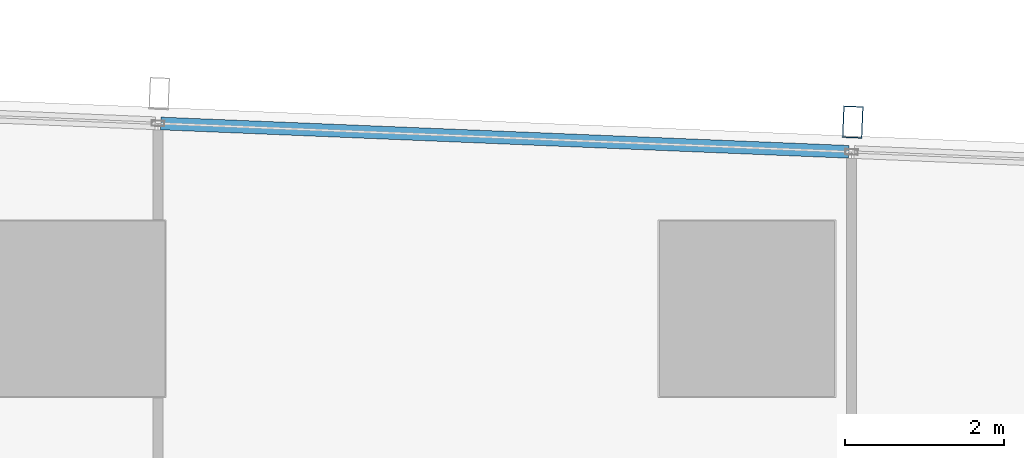
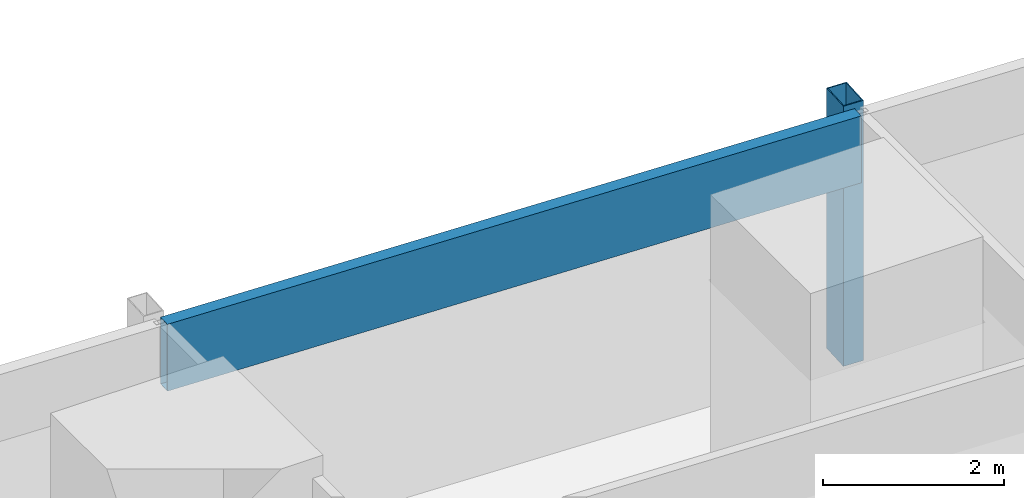
# One storey, part 24 of 44: 2 members, 1 element without a shape of its own.
"""IFC4 building model written with IfcOpenShell, lengths in metres."""

from ifc_helpers import new_model, si_unit, direction, frame, origin, origin_2d, place, context, subcontext, project, spatial, hollow_rectangle, extrude, material, material_profile, profile_set, type_object, element, aggregate, save


model = new_model("IFC4")

# Units and contexts
model_context = context("Model", 3, precision=1e-05, world=origin(), true_north=direction((0.0, 1.0)))
body_context = subcontext(model_context, "Body", "Model", "MODEL_VIEW")
ifc_project = project(units=[si_unit("LENGTHUNIT", "METRE"), si_unit("AREAUNIT", "SQUARE_METRE"), si_unit("VOLUMEUNIT", "CUBIC_METRE"), si_unit("PLANEANGLEUNIT", "RADIAN"), si_unit("MASSUNIT", "GRAM", prefix="KILO")], contexts=[model_context])

# Site, building, storey
site_placement = place(None, origin())
site = spatial("IfcSite", under=ifc_project, at=site_placement, CompositionType="ELEMENT")
building_placement = place(site_placement, origin())
building = spatial("IfcBuilding", under=site, at=building_placement, Name="Rekha Terrace Tower", CompositionType="ELEMENT")
storey_placement = place(building_placement, frame((0.0, 0.0, 59.14990234375)))
storey = spatial("IfcBuildingStorey", under=building, at=storey_placement, Name="L14", CompositionType="ELEMENT", Elevation=59.14990234375)

# Curtain wall, members
ifc_material_1 = material(Name="Aluminium framing", Category="aluminium")
curtain_wall_type = type_object("IfcCurtainWallType", Name="CW3 north unitised glazing", PredefinedType="USERDEFINED", material=ifc_material_1)
curtain_wall_placement = place(storey_placement, origin())
curtain_wall = element("IfcCurtainWall", 1, at=curtain_wall_placement, inside=storey, type_object=curtain_wall_type, Name="CW3 unitised curtain wall", ObjectType="UNITISED CURTAIN WALL", PredefinedType="USERDEFINED")
ifc_material_2 = material(Name="Steel S355 with fluorocarbon finish", Category="steel")
ifc_material_profile_1 = material_profile(ifc_material_2, hollow_rectangle(XDim=0.25, YDim=0.39990234375, WallThickness=0.012451171875, at=origin_2d()), Name="RHS400x250x12.5")
ifc_profile_set_1 = profile_set([ifc_material_profile_1], Name="Steel S355 with fluorocarbon finish")
member_type_1 = type_object("IfcMemberType", Name="BL1 facade blade RHS 400 x 250", PredefinedType="USERDEFINED", material=ifc_profile_set_1)
member_1_placement = place(storey_placement, frame((60.126953125, 61.140869140625, 0.0), z_axis=(0.0, 0.0, 1.0), x_axis=(-0.99915196507, 0.041174636562, 0.0)))
member_1 = element("IfcMember", 2, at=member_1_placement, type_object=member_type_1, Name="Facade blade", ObjectType="FACADE BLADE", PredefinedType="USERDEFINED", context=body_context, shape_type="SweptSolid", body=[
    extrude(hollow_rectangle(XDim=0.25, YDim=0.39990234375, WallThickness=0.012451171875, at=origin_2d()), origin(), (0.0, 0.0, 1.0), 3.5),
])
ifc_material_3 = material(Name="Insulated aluminium spandrel box", Category="aluminium")
ifc_material_profile_2 = material_profile(ifc_material_3, hollow_rectangle(XDim=0.159912109375, YDim=0.89990234375, WallThickness=0.0029296875, at=origin_2d()), Name="AL SPANDREL BOX 160x900")
ifc_profile_set_2 = profile_set([ifc_material_profile_2], Name="Insulated aluminium spandrel box")
member_type_2 = type_object("IfcMemberType", Name="CW3 spandrel transom 160 x 900", PredefinedType="USERDEFINED", material=ifc_profile_set_2)
member_2_placement = place(storey_placement, frame((60.07666015625, 60.767578125, 3.050048828125), z_axis=(-0.999152128669, 0.041170666459, 0.0), x_axis=(-0.041170666459, -0.999152128669, 0.0)))
member_2 = element("IfcMember", 3, at=member_2_placement, type_object=member_type_2, Name="CW3 spandrel transom 2", ObjectType="TRANSOM", PredefinedType="USERDEFINED", context=body_context, shape_type="SweptSolid", body=[
    extrude(hollow_rectangle(XDim=0.159912109375, YDim=0.89990234375, WallThickness=0.0029296875, at=origin_2d()), origin(), (0.0, 0.0, 1.0), 8.634033203125),
])
aggregate(curtain_wall, [member_2, member_1])

save(model, "model.ifc")
